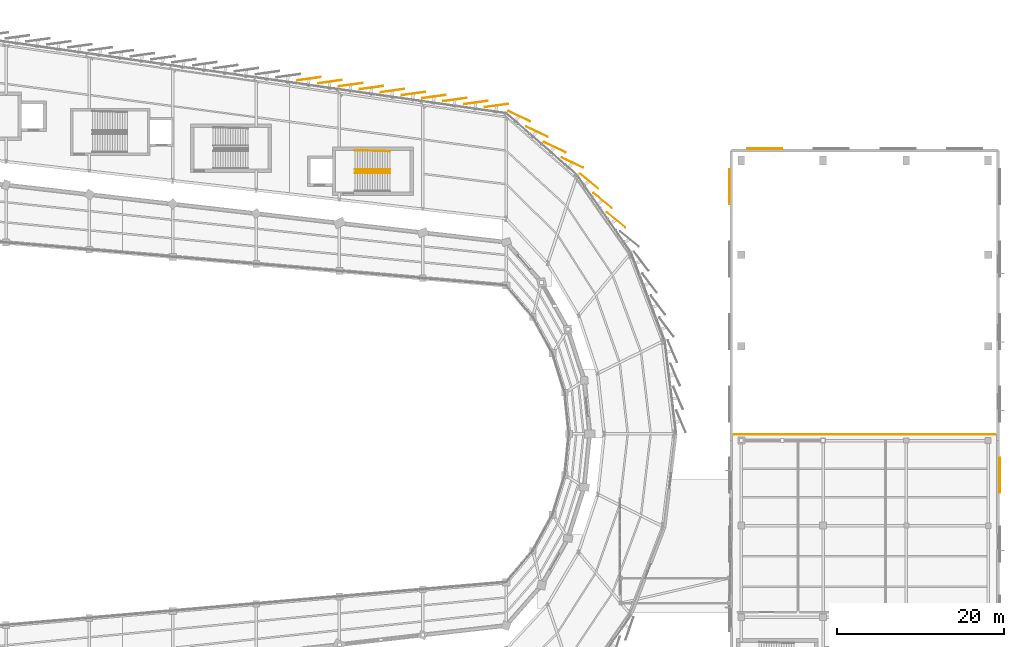
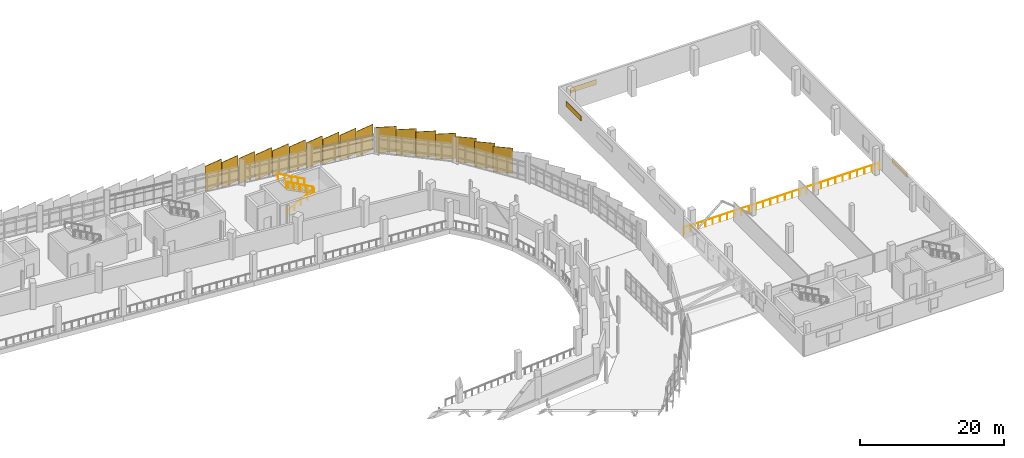
# One storey, part 124 of 125: 20 coverings, 5 railings.
"""IFC4 building model written with IfcOpenShell, lengths in metres."""

from ifc_helpers import new_model, si_unit, direction, frame, origin, origin_2d, place, context, subcontext, project, spatial, rectangle, circle, extrude, material, layer, layer_set, type_object, element, save


model = new_model("IFC4")

# Units and contexts
model_context = context("Model", 3, precision=1e-05, world=origin(), true_north=direction((0.0, 1.0)))
body_context = subcontext(model_context, "Body", "Model", "MODEL_VIEW")
ifc_project = project(units=[si_unit("LENGTHUNIT", "METRE"), si_unit("AREAUNIT", "SQUARE_METRE"), si_unit("VOLUMEUNIT", "CUBIC_METRE"), si_unit("PLANEANGLEUNIT", "RADIAN"), si_unit("MASSUNIT", "GRAM", prefix="KILO")], contexts=[model_context])

# Site, building, storey
site_placement = place(None, origin())
site = spatial("IfcSite", under=ifc_project, at=site_placement, CompositionType="ELEMENT")
building_placement = place(site_placement, origin())
building = spatial("IfcBuilding", under=site, at=building_placement, Name="Sohan Crest Arena", CompositionType="ELEMENT")
storey_placement = place(building_placement, frame((0.0, 0.0, 9.0)))
storey = spatial("IfcBuildingStorey", under=building, at=storey_placement, Name="L02", CompositionType="ELEMENT", Elevation=9.0)

# Railings
ifc_material_1 = material(Name="Powder-coated wrought steel balustrade", Category="steel")
railing_type_1 = type_object("IfcRailingType", Name="ARC-GRD-01", PredefinedType="GUARDRAIL", material=ifc_material_1)
railing_1_placement = place(storey_placement, frame((154.030029296875, 109.5, 2.25)))
element("IfcRailing", 1, at=railing_1_placement, inside=storey, type_object=railing_type_1, Name="Stair well slot guard GRD-058", PredefinedType="GUARDRAIL", context=body_context, shape_type="SweptSolid", body=[
    extrude(circle(Radius=0.02392578125, at=origin_2d()), frame((0.0, 0.0, 1.076171875), z_axis=(-0.87313487534, 0.0, 0.487478706678), x_axis=(0.0, -1.0, 0.0)), (0.0, 0.0, 1.0), 4.615478515625),
    extrude(circle(Radius=0.02099609375, at=origin_2d()), origin(), (0.0, 0.0, 1.0), 1.052001953125),
    extrude(circle(Radius=0.02099609375, at=origin_2d()), frame((-1.007568359375, 0.0, 0.5625)), (0.0, 0.0, 1.0), 1.052001953125),
    extrude(circle(Radius=0.02099609375, at=origin_2d()), frame((-2.01513671875, 0.0, 1.125)), (0.0, 0.0, 1.0), 1.052001953125),
    extrude(circle(Radius=0.02099609375, at=origin_2d()), frame((-3.0224609375, 0.0, 1.6875)), (0.0, 0.0, 1.0), 1.052001953125),
    extrude(circle(Radius=0.02099609375, at=origin_2d()), frame((-4.030029296875, 0.0, 2.25)), (0.0, 0.0, 1.0), 1.052001953125),
])
ifc_material_2 = material(Name="Laminated glass and steel sightline guard", Category="steel")
railing_type_2 = type_object("IfcRailingType", Name="ARC-GRD-02", PredefinedType="GUARDRAIL", material=ifc_material_2)
railing_2_placement = place(storey_placement, frame((195.340087890625, 77.919921875, 0.0)))
element("IfcRailing", 2, at=railing_2_placement, inside=storey, type_object=railing_type_2, Name="Practice court gallery guard GRD-301", PredefinedType="GUARDRAIL", context=body_context, shape_type="SweptSolid", body=[
    extrude(circle(Radius=0.02392578125, at=origin_2d()), frame((0.0, 0.0, 1.1259765625), z_axis=(1.0, 0.0, 0.0), x_axis=(0.0, 1.0, 0.0)), (0.0, 0.0, 1.0), 31.31982421875),
    extrude(circle(Radius=0.02099609375, at=origin_2d()), origin(), (0.0, 0.0, 1.0), 1.101806640625),
    extrude(circle(Radius=0.02099609375, at=origin_2d()), frame((1.159912109375, 0.0, 0.0)), (0.0, 0.0, 1.0), 1.101806640625),
    extrude(circle(Radius=0.02099609375, at=origin_2d()), frame((2.320068359375, 0.0, 0.0)), (0.0, 0.0, 1.0), 1.101806640625),
    extrude(circle(Radius=0.02099609375, at=origin_2d()), frame((3.47998046875, 0.0, 0.0)), (0.0, 0.0, 1.0), 1.101806640625),
    extrude(circle(Radius=0.02099609375, at=origin_2d()), frame((4.639892578125, 0.0, 0.0)), (0.0, 0.0, 1.0), 1.101806640625),
    extrude(circle(Radius=0.02099609375, at=origin_2d()), frame((5.800048828125, 0.0, 0.0)), (0.0, 0.0, 1.0), 1.101806640625),
    extrude(circle(Radius=0.02099609375, at=origin_2d()), frame((6.9599609375, 0.0, 0.0)), (0.0, 0.0, 1.0), 1.101806640625),
    extrude(circle(Radius=0.02099609375, at=origin_2d()), frame((8.119873046875, 0.0, 0.0)), (0.0, 0.0, 1.0), 1.101806640625),
    extrude(circle(Radius=0.02099609375, at=origin_2d()), frame((9.280029296875, 0.0, 0.0)), (0.0, 0.0, 1.0), 1.101806640625),
    extrude(circle(Radius=0.02099609375, at=origin_2d()), frame((10.43994140625, 0.0, 0.0)), (0.0, 0.0, 1.0), 1.101806640625),
    extrude(circle(Radius=0.02099609375, at=origin_2d()), frame((11.599853515625, 0.0, 0.0)), (0.0, 0.0, 1.0), 1.101806640625),
    extrude(circle(Radius=0.02099609375, at=origin_2d()), frame((12.760009765625, 0.0, 0.0)), (0.0, 0.0, 1.0), 1.101806640625),
    extrude(circle(Radius=0.02099609375, at=origin_2d()), frame((13.919921875, 0.0, 0.0)), (0.0, 0.0, 1.0), 1.101806640625),
    extrude(circle(Radius=0.02099609375, at=origin_2d()), frame((15.079833984375, 0.0, 0.0)), (0.0, 0.0, 1.0), 1.101806640625),
    extrude(circle(Radius=0.02099609375, at=origin_2d()), frame((16.239990234375, 0.0, 0.0)), (0.0, 0.0, 1.0), 1.101806640625),
    extrude(circle(Radius=0.02099609375, at=origin_2d()), frame((17.39990234375, 0.0, 0.0)), (0.0, 0.0, 1.0), 1.101806640625),
    extrude(circle(Radius=0.02099609375, at=origin_2d()), frame((18.559814453125, 0.0, 0.0)), (0.0, 0.0, 1.0), 1.101806640625),
    extrude(circle(Radius=0.02099609375, at=origin_2d()), frame((19.719970703125, 0.0, 0.0)), (0.0, 0.0, 1.0), 1.101806640625),
    extrude(circle(Radius=0.02099609375, at=origin_2d()), frame((20.8798828125, 0.0, 0.0)), (0.0, 0.0, 1.0), 1.101806640625),
    extrude(circle(Radius=0.02099609375, at=origin_2d()), frame((22.039794921875, 0.0, 0.0)), (0.0, 0.0, 1.0), 1.101806640625),
    extrude(circle(Radius=0.02099609375, at=origin_2d()), frame((23.199951171875, 0.0, 0.0)), (0.0, 0.0, 1.0), 1.101806640625),
    extrude(circle(Radius=0.02099609375, at=origin_2d()), frame((24.35986328125, 0.0, 0.0)), (0.0, 0.0, 1.0), 1.101806640625),
    extrude(circle(Radius=0.02099609375, at=origin_2d()), frame((25.519775390625, 0.0, 0.0)), (0.0, 0.0, 1.0), 1.101806640625),
    extrude(circle(Radius=0.02099609375, at=origin_2d()), frame((26.679931640625, 0.0, 0.0)), (0.0, 0.0, 1.0), 1.101806640625),
    extrude(circle(Radius=0.02099609375, at=origin_2d()), frame((27.83984375, 0.0, 0.0)), (0.0, 0.0, 1.0), 1.101806640625),
    extrude(circle(Radius=0.02099609375, at=origin_2d()), frame((28.999755859375, 0.0, 0.0)), (0.0, 0.0, 1.0), 1.101806640625),
    extrude(circle(Radius=0.02099609375, at=origin_2d()), frame((30.159912109375, 0.0, 0.0)), (0.0, 0.0, 1.0), 1.101806640625),
    extrude(circle(Radius=0.02099609375, at=origin_2d()), frame((31.31982421875, 0.0, 0.0)), (0.0, 0.0, 1.0), 1.101806640625),
])
ifc_material_3 = material(Name="Brushed stainless steel stair handrail", Category="steel")
railing_type_3 = type_object("IfcRailingType", Name="ARC-HR-01", PredefinedType="HANDRAIL", material=ifc_material_3)
railing_3_placement = place(storey_placement, frame((149.85009765625, 109.2900390625, 0.0)))
element("IfcRailing", 3, at=railing_3_placement, inside=storey, type_object=railing_type_3, Name="Stair pitch handrail HR-194", PredefinedType="HANDRAIL", context=body_context, shape_type="SweptSolid", body=[
    extrude(circle(Radius=0.02392578125, at=origin_2d()), frame((0.0, 0.0, 0.97607421875), z_axis=(0.881477684796, 0.0, 0.472225678258), x_axis=(0.0, 1.0, 0.0)), (0.0, 0.0, 1.0), 4.7646484375),
    extrude(circle(Radius=0.02099609375, at=origin_2d()), origin(), (0.0, 0.0, 1.0), 0.951904296875),
    extrude(circle(Radius=0.02099609375, at=origin_2d()), frame((1.050048828125, 0.0, 0.5625)), (0.0, 0.0, 1.0), 0.951904296875),
    extrude(circle(Radius=0.02099609375, at=origin_2d()), frame((2.10009765625, 0.0, 1.125)), (0.0, 0.0, 1.0), 0.951904296875),
    extrude(circle(Radius=0.02099609375, at=origin_2d()), frame((3.14990234375, 0.0, 1.6875)), (0.0, 0.0, 1.0), 0.951904296875),
    extrude(circle(Radius=0.02099609375, at=origin_2d()), frame((4.199951171875, 0.0, 2.25)), (0.0, 0.0, 1.0), 0.951904296875),
])
railing_4_placement = place(storey_placement, frame((154.050048828125, 109.7099609375, 2.25)))
element("IfcRailing", 4, at=railing_4_placement, inside=storey, type_object=railing_type_3, Name="Stair pitch handrail HR-195", PredefinedType="HANDRAIL", context=body_context, shape_type="SweptSolid", body=[
    extrude(circle(Radius=0.02392578125, at=origin_2d()), frame((0.0, 0.0, 0.97607421875), z_axis=(-0.881477684796, 0.0, 0.472225678258), x_axis=(0.0, -1.0, 0.0)), (0.0, 0.0, 1.0), 4.7646484375),
    extrude(circle(Radius=0.02099609375, at=origin_2d()), origin(), (0.0, 0.0, 1.0), 0.951904296875),
    extrude(circle(Radius=0.02099609375, at=origin_2d()), frame((-1.050048828125, 0.0, 0.5625)), (0.0, 0.0, 1.0), 0.951904296875),
    extrude(circle(Radius=0.02099609375, at=origin_2d()), frame((-2.10009765625, 0.0, 1.125)), (0.0, 0.0, 1.0), 0.951904296875),
    extrude(circle(Radius=0.02099609375, at=origin_2d()), frame((-3.14990234375, 0.0, 1.6875)), (0.0, 0.0, 1.0), 0.951904296875),
    extrude(circle(Radius=0.02099609375, at=origin_2d()), frame((-4.199951171875, 0.0, 2.25)), (0.0, 0.0, 1.0), 0.951904296875),
])
railing_5_placement = place(storey_placement, frame((154.050048828125, 111.889892578125, 2.25)))
element("IfcRailing", 5, at=railing_5_placement, inside=storey, type_object=railing_type_3, Name="Stair pitch handrail HR-196", PredefinedType="HANDRAIL", context=body_context, shape_type="SweptSolid", body=[
    extrude(circle(Radius=0.02392578125, at=origin_2d()), frame((0.0, 0.0, 0.97607421875), z_axis=(-0.881197710057, 0.025201957411, 0.472075690047), x_axis=(-0.028587973606, -0.999591280357, 0.0)), (0.0, 0.0, 1.0), 4.76611328125),
    extrude(circle(Radius=0.02099609375, at=origin_2d()), origin(), (0.0, 0.0, 1.0), 0.951904296875),
    extrude(circle(Radius=0.02099609375, at=origin_2d()), frame((-1.050048828125, 0.030029296875, 0.5625)), (0.0, 0.0, 1.0), 0.951904296875),
    extrude(circle(Radius=0.02099609375, at=origin_2d()), frame((-2.10009765625, 0.06005859375, 1.125)), (0.0, 0.0, 1.0), 0.951904296875),
    extrude(circle(Radius=0.02099609375, at=origin_2d()), frame((-3.14990234375, 0.090087890625, 1.6875)), (0.0, 0.0, 1.0), 0.951904296875),
    extrude(circle(Radius=0.02099609375, at=origin_2d()), frame((-4.199951171875, 0.1201171875, 2.25)), (0.0, 0.0, 1.0), 0.951904296875),
])

# Coverings
ifc_material_4 = material(Name="Honed dark basalt stone cladding", Category="masonry")
ifc_layer_1 = layer(ifc_material_4, 0.0849609375, Name="Honed dark basalt stone cladding")
ifc_layer_set_1 = layer_set([ifc_layer_1], Name="Honed dark basalt stone cladding")
covering_type_1 = type_object("IfcCoveringType", Name="COV-BAS", PredefinedType="CLADDING", material=ifc_layer_set_1)
for number, where, z_axis, x_axis, name in (
    (6, (227.20703125, 73.050048828125, 2.625), (0.0, 0.0, 1.0), (0.0, 1.0, 0.0), "Dark basalt facade panel DB-0820"),
    (7, (199.0, 112.20703125, 2.625), (0.0, 0.0, 1.0), (-1.0, 0.0, 0.0), "Dark basalt facade panel DB-0828"),
    (8, (194.79296875, 107.64990234375, 2.625), (0.0, 0.0, 1.0), (0.0, -1.0, 0.0), "Dark basalt facade panel DB-0829"),
):
    element("IfcCovering", number, at=place(storey_placement, frame(where, z_axis=z_axis, x_axis=x_axis)), inside=storey, type_object=covering_type_1, Name=name, PredefinedType="CLADDING", context=body_context, shape_type="SweptSolid", body=[
        extrude(rectangle(XDim=4.199951171875, YDim=0.0849609375, at=origin_2d()), origin(), (0.0, 0.0, 1.0), 0.85009765625),
    ])
ifc_material_5 = material(Name="Glazed ivory trencadis ceramic cladding", Category="masonry")
ifc_layer_2 = layer(ifc_material_5, 0.06494140625, Name="Glazed ivory trencadis ceramic cladding")
ifc_layer_set_2 = layer_set([ifc_layer_2], Name="Glazed ivory trencadis ceramic cladding")
covering_type_2 = type_object("IfcCoveringType", Name="COV-SC-IV", PredefinedType="CLADDING", material=ifc_layer_set_2)
for number, where, z_axis, x_axis, name in (
    (9, (181.174072265625, 103.6689453125, -0.2001953125), (0.0, 0.0, 1.0), (-0.776046407067, 0.630675807431, 0.0), "Rotated trencadis ceramic scale panel SC-0226"),
    (10, (179.55810546875, 105.985107421875, -0.2001953125), (0.0, 0.0, 1.0), (-0.776046407067, 0.630675807431, 0.0), "Rotated trencadis ceramic scale panel SC-0227"),
    (11, (177.94091796875, 108.300048828125, -0.2001953125), (0.0, 0.0, 1.0), (-0.776046407067, 0.630675807431, 0.0), "Rotated trencadis ceramic scale panel SC-0228"),
    (12, (175.946044921875, 110.52392578125, -0.2001953125), (0.0, 0.0, 1.0), (-0.905568799011, 0.424199422745, 0.0), "Rotated trencadis ceramic scale panel SC-0229"),
    (13, (173.818115234375, 112.381103515625, -0.2001953125), (0.0, 0.0, 1.0), (-0.905568799011, 0.424199422745, 0.0), "Rotated trencadis ceramic scale panel SC-0230"),
    (14, (171.69091796875, 114.237060546875, -0.2001953125), (0.0, 0.0, 1.0), (-0.905568799011, 0.424199422745, 0.0), "Rotated trencadis ceramic scale panel SC-0231"),
    (15, (169.56298828125, 116.093994140625, -0.2001953125), (0.0, 0.0, 1.0), (-0.905568799011, 0.424199422745, 0.0), "Rotated trencadis ceramic scale panel SC-0232"),
    (16, (166.85791015625, 117.381103515625, -0.2001953125), (0.0, 0.0, 1.0), (-0.990509463238, -0.137444546037, 0.0), "Rotated trencadis ceramic scale panel SC-0233"),
    (17, (164.35791015625, 117.738037109375, -0.2001953125), (0.0, 0.0, 1.0), (-0.990509463238, -0.137444546037, 0.0), "Rotated trencadis ceramic scale panel SC-0234"),
    (18, (161.85791015625, 118.094970703125, -0.2001953125), (0.0, 0.0, 1.0), (-0.990509463238, -0.137444546037, 0.0), "Rotated trencadis ceramic scale panel SC-0235"),
    (19, (156.85693359375, 118.81005859375, -0.2001953125), (0.0, 0.0, 1.0), (-0.990509463238, -0.137444546037, 0.0), "Rotated trencadis ceramic scale panel SC-0237"),
    (20, (154.35693359375, 119.1669921875, -0.2001953125), (0.0, 0.0, 1.0), (-0.990509463238, -0.137444546037, 0.0), "Rotated trencadis ceramic scale panel SC-0238"),
    (21, (149.35693359375, 119.881103515625, -0.2001953125), (0.0, 0.0, 1.0), (-0.990509463238, -0.137444546037, 0.0), "Rotated trencadis ceramic scale panel SC-0240"),
    (22, (146.85791015625, 120.238037109375, -0.2001953125), (0.0, 0.0, 1.0), (-0.990509463238, -0.137444546037, 0.0), "Rotated trencadis ceramic scale panel SC-0241"),
):
    element("IfcCovering", number, at=place(storey_placement, frame(where, z_axis=z_axis, x_axis=x_axis)), inside=storey, type_object=covering_type_2, Name=name, PredefinedType="CLADDING", context=body_context, shape_type="SweptSolid", body=[
        extrude(rectangle(XDim=2.85009765625, YDim=0.06494140625, at=origin_2d()), origin(), (0.0, 0.0, 1.0), 4.300048828125),
    ])
ifc_material_6 = material(Name="Glazed terracotta trencadis ceramic cladding", Category="masonry")
ifc_layer_3 = layer(ifc_material_6, 0.074951171875, Name="Glazed terracotta trencadis ceramic cladding")
ifc_layer_set_3 = layer_set([ifc_layer_3], Name="Glazed terracotta trencadis ceramic cladding")
covering_type_3 = type_object("IfcCoveringType", Name="COV-SC-TC", PredefinedType="CLADDING", material=ifc_layer_set_3)
for number, where, z_axis, x_axis, name in (
    (23, (159.35791015625, 118.452880859375, -0.2001953125), (0.0, 0.0, 1.0), (-0.990509463238, -0.137444546037, 0.0), "Rotated trencadis ceramic scale panel SC-0236"),
    (24, (151.85693359375, 119.52392578125, -0.2001953125), (0.0, 0.0, 1.0), (-0.990509463238, -0.137444546037, 0.0), "Rotated trencadis ceramic scale panel SC-0239"),
    (25, (144.35791015625, 120.594970703125, -0.2001953125), (0.0, 0.0, 1.0), (-0.990509463238, -0.137444546037, 0.0), "Rotated trencadis ceramic scale panel SC-0242"),
):
    element("IfcCovering", number, at=place(storey_placement, frame(where, z_axis=z_axis, x_axis=x_axis)), inside=storey, type_object=covering_type_3, Name=name, PredefinedType="CLADDING", context=body_context, shape_type="SweptSolid", body=[
        extrude(rectangle(XDim=2.85009765625, YDim=0.074951171875, at=origin_2d()), origin(), (0.0, 0.0, 1.0), 4.300048828125),
    ])

save(model, "model.ifc")
